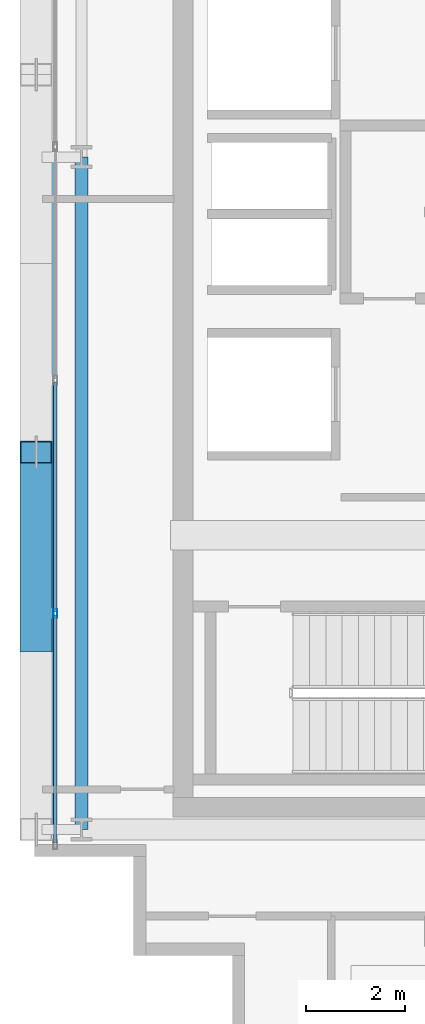
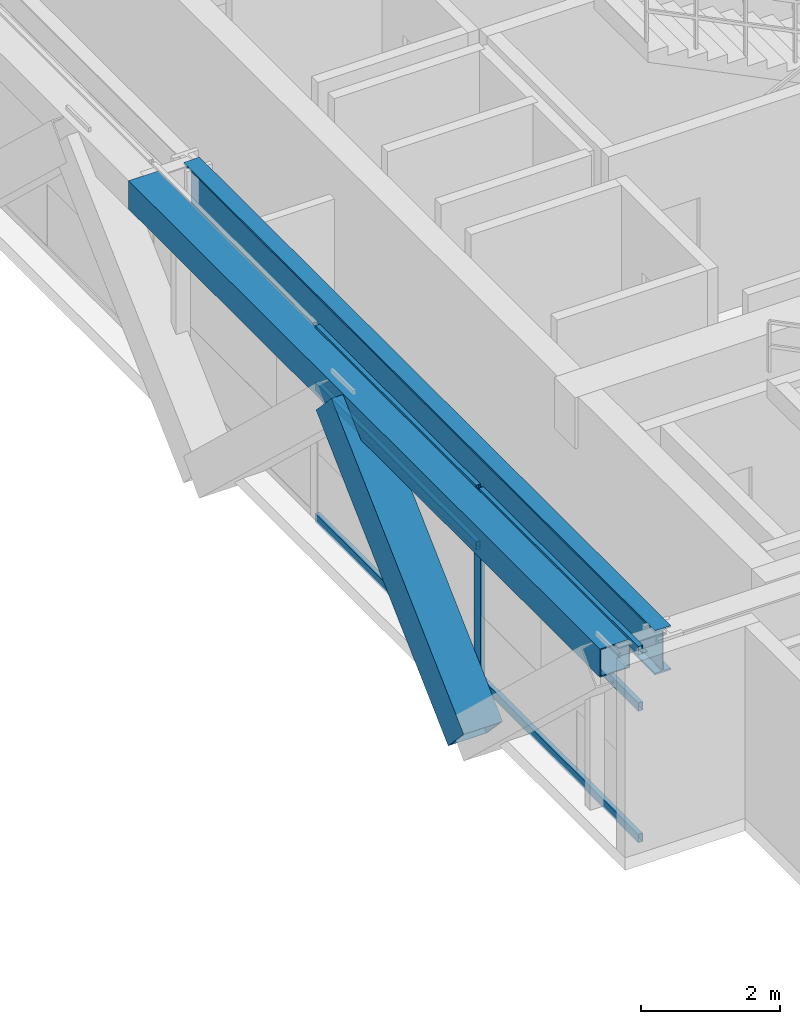
# One storey, part 3 of 27: 8 members, 2 beams, 1 element without a shape of its own.
"""IFC4 building model written with IfcOpenShell, lengths in metres."""

from ifc_helpers import new_model, si_unit, direction, frame, origin, origin_2d, place, context, subcontext, project, spatial, hollow_rectangle, i_section, extrude, source, transform, mapped, material, layer, layer_set, material_profile, profile_set, type_object, element, aggregate, save


model = new_model("IFC4")

# Units and contexts
model_context = context("Model", 3, precision=1e-05, world=origin(), true_north=direction((0.0, 1.0)))
body_context = subcontext(model_context, "Body", "Model", "MODEL_VIEW")
ifc_project = project(units=[si_unit("LENGTHUNIT", "METRE"), si_unit("AREAUNIT", "SQUARE_METRE"), si_unit("VOLUMEUNIT", "CUBIC_METRE"), si_unit("PLANEANGLEUNIT", "RADIAN"), si_unit("MASSUNIT", "GRAM", prefix="KILO")], contexts=[model_context])

# Site, building, storey
site_placement = place(None, origin())
site = spatial("IfcSite", under=ifc_project, at=site_placement, CompositionType="ELEMENT")
building_placement = place(site_placement, origin())
building = spatial("IfcBuilding", under=site, at=building_placement, Name="Ocotamira Hotel", CompositionType="ELEMENT")
storey_placement = place(building_placement, frame((0.0, 0.0, 232.800048828125)))
storey = spatial("IfcBuildingStorey", under=building, at=storey_placement, Name="L58", CompositionType="ELEMENT", Elevation=232.800048828125)

# Beams
ifc_material_1 = material(Name="Steel ASTM A992 Grade 50", Category="steel")
ifc_material_profile_1 = material_profile(ifc_material_1, i_section(OverallWidth=0.26611328125, OverallDepth=0.779052734375, WebThickness=0.0166015625, FlangeThickness=0.030029296875, FilletRadius=0.01806640625, at=origin_2d()), Name="W30X148")
ifc_profile_set_1 = profile_set([ifc_material_profile_1], Name="Steel ASTM A992 Grade 50")
beam_type_1 = type_object("IfcBeamType", Name="BM-GIRD-W30X148", PredefinedType="BEAM", material=ifc_profile_set_1)
shared_shape_1 = source(origin(), body_context, "Body", "SweptSolid", [
    extrude(i_section(OverallWidth=0.26611328125, OverallDepth=0.779052734375, WebThickness=0.0166015625, FlangeThickness=0.030029296875, FilletRadius=0.01806640625, at=origin_2d()), origin(), (0.0, 0.0, 1.0), 13.599853515625),
])
beam_1_placement = place(storey_placement, frame((8.949951171875, 14.550048828125, 2.990478515625), z_axis=(0.0, 1.0, 0.0), x_axis=(-1.0, 0.0, 0.0)))
element("IfcBeam", 1, at=beam_1_placement, inside=storey, type_object=beam_type_1, Name="L58 Beam X8.95 Y14.55-28.15", PredefinedType="BEAM", context=body_context, shape_type="MappedRepresentation", body=[
    mapped(shared_shape_1, transform((0.0, 0.0, 0.0), scale=1.0)),
])
ifc_material_2 = material(Name="Steel ASTM A500 Grade C", Category="steel")
ifc_material_profile_2 = material_profile(ifc_material_2, hollow_rectangle(XDim=0.5, YDim=0.5, WallThickness=0.02001953125, at=origin_2d()), Name="HSS500X500X20")
ifc_profile_set_2 = profile_set([ifc_material_profile_2], Name="Steel ASTM A500 Grade C")
beam_type_2 = type_object("IfcBeamType", Name="BM-SPAN-HSS500", PredefinedType="USERDEFINED", material=ifc_profile_set_2)
shared_shape_2 = source(origin(), body_context, "Body", "SweptSolid", [
    extrude(hollow_rectangle(XDim=0.5, YDim=0.5, WallThickness=0.02001953125, at=origin_2d()), origin(), (0.0, 0.0, 1.0), 13.599853515625),
])
beam_2_placement = place(storey_placement, frame((8.14990234375, 14.550048828125, 3.1298828125), z_axis=(0.0, 1.0, 0.0), x_axis=(-1.0, 0.0, 0.0)))
element("IfcBeam", 2, at=beam_2_placement, inside=storey, type_object=beam_type_2, Name="L58 Edge Spandrel W Y14.55-28.15", ObjectType="SPANDREL", PredefinedType="USERDEFINED", context=body_context, shape_type="MappedRepresentation", body=[
    mapped(shared_shape_2, transform((0.0, 0.0, 0.0), scale=1.0)),
])

# Member
ifc_material_3 = material(Name="Pale-metal coated steel ASTM A913 Grade 65", Category="steel")
ifc_material_profile_3 = material_profile(ifc_material_3, hollow_rectangle(XDim=0.64990234375, YDim=0.64990234375, WallThickness=0.02197265625, at=origin_2d()), Name="BOX650X650X22")
ifc_profile_set_3 = profile_set([ifc_material_profile_3], Name="Pale-metal coated steel ASTM A913 Grade 65")
member_type_1 = type_object("IfcMemberType", Name="MEM-EXO-BOX650", PredefinedType="BRACE", material=ifc_profile_set_3)
shared_shape_3 = source(origin(), body_context, "Body", "SweptSolid", [
    extrude(hollow_rectangle(XDim=0.64990234375, YDim=0.64990234375, WallThickness=0.02197265625, at=origin_2d()), origin(), (0.0, 0.0, 1.0), 5.24658203125),
])
member_1_placement = place(storey_placement, frame((8.030029296875, 18.36669921875, -0.469970703125), z_axis=(0.0, 0.72746596067, 0.686143772154), x_axis=(-1.0, 0.0, 0.0)))
element("IfcMember", 3, at=member_1_placement, inside=storey, type_object=member_type_1, Name="L58 Exoskeleton Diagrid W0.2", PredefinedType="BRACE", context=body_context, shape_type="MappedRepresentation", body=[
    mapped(shared_shape_3, transform((0.0, 0.0, 0.0), scale=1.0)),
])

# Curtain wall, members
ifc_material_4 = material(Name="Anodised pale-metal aluminium and solar glass", Category="aluminium")
ifc_layer = layer(ifc_material_4, 0.239990234375)
ifc_layer_set = layer_set([ifc_layer], Name="Anodised pale-metal aluminium and solar glass")
curtain_wall_type = type_object("IfcCurtainWallType", Name="CW-SYS5-SKY", PredefinedType="NOTDEFINED", material=ifc_layer_set)
curtain_wall_placement = place(storey_placement, origin())
curtain_wall = element("IfcCurtainWall", 4, at=curtain_wall_placement, inside=storey, type_object=curtain_wall_type, Name="L58 Curtain Wall CW-5 CW-L58-W", PredefinedType="NOTDEFINED")
ifc_material_5 = material(Name="Anodised pale-metal aluminium 6063-T6", Category="aluminium")
ifc_material_profile_4 = material_profile(ifc_material_5, hollow_rectangle(XDim=0.080078125, YDim=0.179931640625, WallThickness=0.006103515625, at=origin_2d()), Name="HSS180X80X6")
ifc_profile_set_4 = profile_set([ifc_material_profile_4], Name="Anodised pale-metal aluminium 6063-T6")
member_type_2 = type_object("IfcMemberType", Name="CWM-180X75", PredefinedType="MULLION", material=ifc_profile_set_4)
shared_shape_4 = source(origin(), body_context, "Body", "SweptSolid", [
    extrude(hollow_rectangle(XDim=0.080078125, YDim=0.179931640625, WallThickness=0.006103515625, at=origin_2d()), origin(), (0.0, 0.0, 1.0), 3.3798828125),
])
member_2_placement = place(storey_placement, frame((8.419921875, 18.919921875, 0.0), z_axis=(0.0, 0.0, 1.0), x_axis=(-1.0, 0.0, 0.0)))
member_2 = element("IfcMember", 5, at=member_2_placement, type_object=member_type_2, Name="CW-5 mullion 2", PredefinedType="MULLION", context=body_context, shape_type="MappedRepresentation", body=[
    mapped(shared_shape_4, transform((0.0, 0.0, 0.0), scale=1.0)),
])
ifc_material_profile_5 = material_profile(ifc_material_5, hollow_rectangle(XDim=0.074951171875, YDim=0.14990234375, WallThickness=0.006103515625, at=origin_2d()), Name="HSS150X75X6")
ifc_profile_set_5 = profile_set([ifc_material_profile_5], Name="Anodised pale-metal aluminium 6063-T6")
member_type_3 = type_object("IfcMemberType", Name="CWT-150X75", PredefinedType="USERDEFINED", material=ifc_profile_set_5)
shared_shape_5 = source(origin(), body_context, "Body", "SweptSolid", [
    extrude(hollow_rectangle(XDim=0.074951171875, YDim=0.14990234375, WallThickness=0.006103515625, at=origin_2d()), origin(), (0.0, 0.0, 1.0), 4.599853515625),
])
member_3_placement = place(storey_placement, frame((8.419921875, 14.280029296875, 0.037353515625), z_axis=(0.0, 1.0, 0.0), x_axis=(-1.0, 0.0, 0.0)))
member_3 = element("IfcMember", 6, at=member_3_placement, type_object=member_type_3, Name="CW-5 transom 1.1", ObjectType="TRANSOM", PredefinedType="USERDEFINED", context=body_context, shape_type="MappedRepresentation", body=[
    mapped(shared_shape_5, transform((0.0, 0.0, 0.0), scale=1.0)),
])
member_4_placement = place(storey_placement, frame((8.419921875, 14.280029296875, 2.349853515625), z_axis=(0.0, 1.0, 0.0), x_axis=(-1.0, 0.0, 0.0)))
member_4 = element("IfcMember", 7, at=member_4_placement, type_object=member_type_3, Name="CW-5 transom 1.2", ObjectType="TRANSOM", PredefinedType="USERDEFINED", context=body_context, shape_type="MappedRepresentation", body=[
    mapped(shared_shape_5, transform((0.0, 0.0, 0.0), scale=1.0)),
])
member_5_placement = place(storey_placement, frame((8.419921875, 14.280029296875, 3.342529296875), z_axis=(0.0, 1.0, 0.0), x_axis=(-1.0, 0.0, 0.0)))
member_5 = element("IfcMember", 8, at=member_5_placement, type_object=member_type_3, Name="CW-5 transom 1.3", ObjectType="TRANSOM", PredefinedType="USERDEFINED", context=body_context, shape_type="MappedRepresentation", body=[
    mapped(shared_shape_5, transform((0.0, 0.0, 0.0), scale=1.0)),
])
shared_shape_6 = source(origin(), body_context, "Body", "SweptSolid", [
    extrude(hollow_rectangle(XDim=0.074951171875, YDim=0.14990234375, WallThickness=0.006103515625, at=origin_2d()), origin(), (0.0, 0.0, 1.0), 4.64013671875),
])
member_6_placement = place(storey_placement, frame((8.419921875, 18.9599609375, 0.037353515625), z_axis=(0.0, 1.0, 0.0), x_axis=(-1.0, 0.0, 0.0)))
member_6 = element("IfcMember", 9, at=member_6_placement, type_object=member_type_3, Name="CW-5 transom 2.1", ObjectType="TRANSOM", PredefinedType="USERDEFINED", context=body_context, shape_type="MappedRepresentation", body=[
    mapped(shared_shape_6, transform((0.0, 0.0, 0.0), scale=1.0)),
])
member_7_placement = place(storey_placement, frame((8.419921875, 18.9599609375, 2.349853515625), z_axis=(0.0, 1.0, 0.0), x_axis=(-1.0, 0.0, 0.0)))
member_7 = element("IfcMember", 10, at=member_7_placement, type_object=member_type_3, Name="CW-5 transom 2.2", ObjectType="TRANSOM", PredefinedType="USERDEFINED", context=body_context, shape_type="MappedRepresentation", body=[
    mapped(shared_shape_6, transform((0.0, 0.0, 0.0), scale=1.0)),
])
member_8_placement = place(storey_placement, frame((8.419921875, 18.9599609375, 3.342529296875), z_axis=(0.0, 1.0, 0.0), x_axis=(-1.0, 0.0, 0.0)))
member_8 = element("IfcMember", 11, at=member_8_placement, type_object=member_type_3, Name="CW-5 transom 2.3", ObjectType="TRANSOM", PredefinedType="USERDEFINED", context=body_context, shape_type="MappedRepresentation", body=[
    mapped(shared_shape_6, transform((0.0, 0.0, 0.0), scale=1.0)),
])
aggregate(curtain_wall, [member_2, member_3, member_4, member_5, member_6, member_7, member_8])

save(model, "model.ifc")
